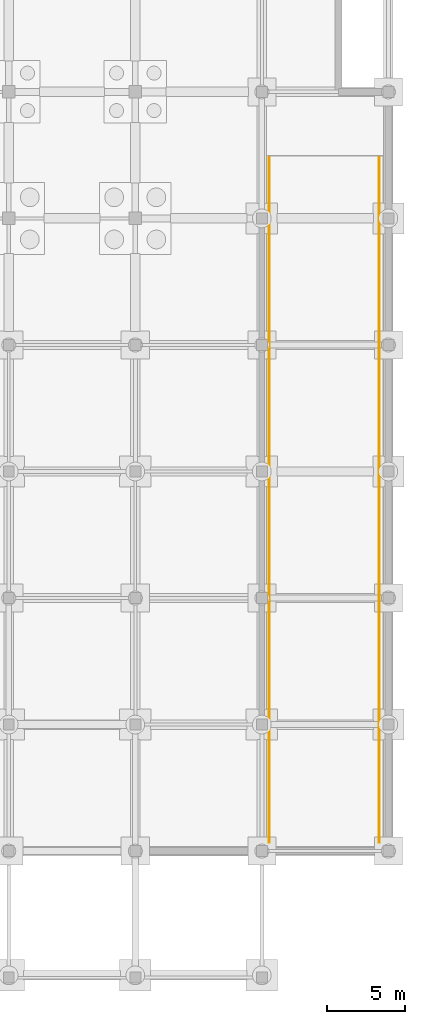
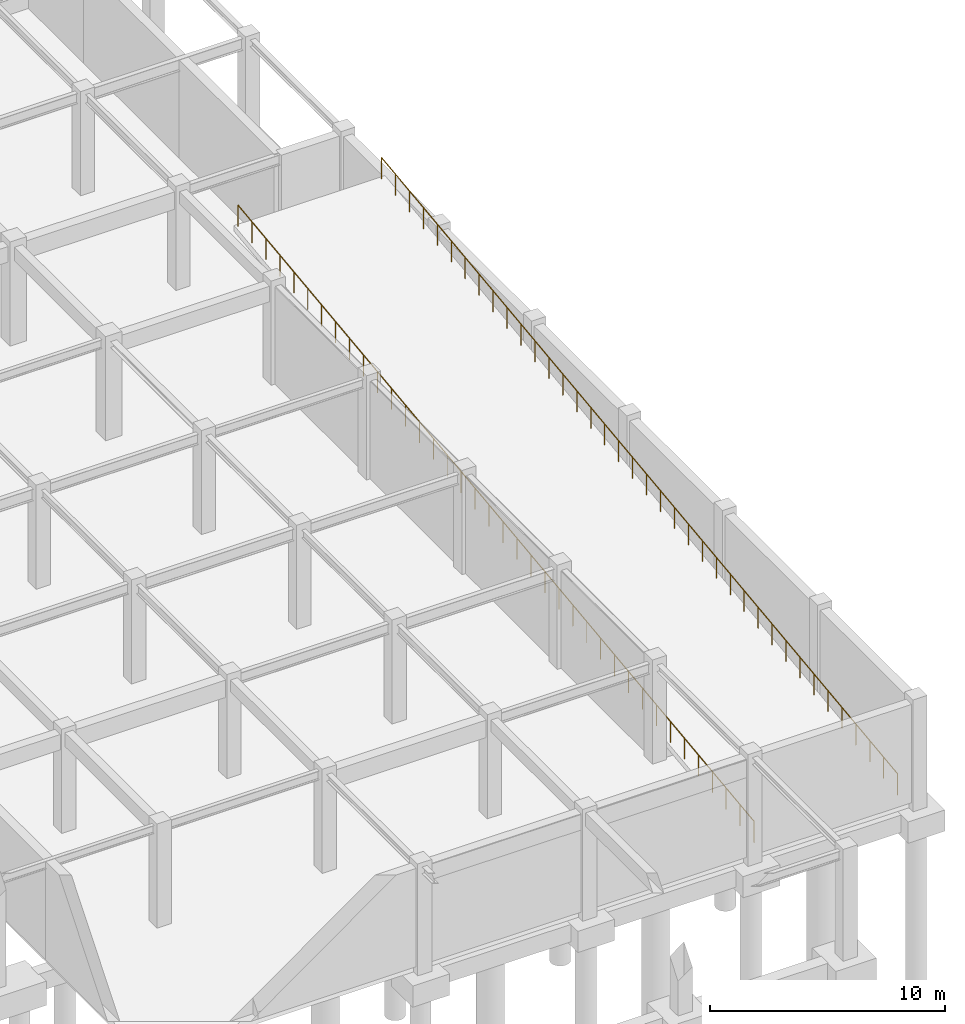
# One storey, part 24 of 26: 2 railings.
"""IFC4 building model written with IfcOpenShell, lengths in metres."""

from ifc_helpers import new_model, si_unit, direction, frame, origin, origin_2d, place, context, subcontext, project, spatial, circle, extrude, material, type_object, element, save


model = new_model("IFC4")

# Units and contexts
model_context = context("Model", 3, precision=1e-05, world=origin(), true_north=direction((0.0, 1.0)))
body_context = subcontext(model_context, "Body", "Model", "MODEL_VIEW")
ifc_project = project(units=[si_unit("LENGTHUNIT", "METRE"), si_unit("AREAUNIT", "SQUARE_METRE"), si_unit("VOLUMEUNIT", "CUBIC_METRE"), si_unit("PLANEANGLEUNIT", "RADIAN"), si_unit("MASSUNIT", "GRAM", prefix="KILO")], contexts=[model_context])

# Site, building, storey
site_placement = place(None, origin())
site = spatial("IfcSite", under=ifc_project, at=site_placement, CompositionType="ELEMENT")
building_placement = place(site_placement, origin())
building = spatial("IfcBuilding", under=site, at=building_placement, Name="Parian Resonance Hall", CompositionType="ELEMENT")
storey_placement = place(building_placement, frame((0.0, 0.0, -5.39990234375)))
storey = spatial("IfcBuildingStorey", under=building, at=storey_placement, Name="B1", CompositionType="ELEMENT", Elevation=-5.39990234375)

# Railings
ifc_material = material(Name="Patinated bronze persiana louver")
railing_type = type_object("IfcRailingType", Name="RAIL-GRD-1120", PredefinedType="GUARDRAIL", material=ifc_material)
railing_1_placement = place(storey_placement, frame((154.3798828125, 8.64990234375, 0.010009765625)))
element("IfcRailing", 1, at=railing_1_placement, inside=storey, type_object=railing_type, Name="Vehicle ramp west safety guardrail", PredefinedType="GUARDRAIL", context=body_context, shape_type="SweptSolid", body=[
    extrude(circle(Radius=0.02392578125, at=origin_2d()), frame((0.0, 0.0, 1.09619140625), z_axis=(0.0, 0.992585096062, 0.121551746495), x_axis=(-1.0, 0.0, 0.0)), (0.0, 0.0, 1.0), 44.177734375),
    extrude(circle(Radius=0.02099609375, at=origin_2d()), origin(), (0.0, 0.0, 1.0), 1.072021484375),
    extrude(circle(Radius=0.02099609375, at=origin_2d()), frame((0.0, 1.18505859375, 0.14501953125)), (0.0, 0.0, 1.0), 1.072021484375),
    extrude(circle(Radius=0.02099609375, at=origin_2d()), frame((0.0, 2.370361328125, 0.290283203125)), (0.0, 0.0, 1.0), 1.072021484375),
    extrude(circle(Radius=0.02099609375, at=origin_2d()), frame((0.0, 3.555419921875, 0.435302734375)), (0.0, 0.0, 1.0), 1.072021484375),
    extrude(circle(Radius=0.02099609375, at=origin_2d()), frame((0.0, 4.740478515625, 0.58056640625)), (0.0, 0.0, 1.0), 1.072021484375),
    extrude(circle(Radius=0.02099609375, at=origin_2d()), frame((0.0, 5.92578125, 0.7255859375)), (0.0, 0.0, 1.0), 1.072021484375),
    extrude(circle(Radius=0.02099609375, at=origin_2d()), frame((0.0, 7.11083984375, 0.870849609375)), (0.0, 0.0, 1.0), 1.072021484375),
    extrude(circle(Radius=0.02099609375, at=origin_2d()), frame((0.0, 8.2958984375, 1.015869140625)), (0.0, 0.0, 1.0), 1.072021484375),
    extrude(circle(Radius=0.02099609375, at=origin_2d()), frame((0.0, 9.481201171875, 1.1611328125)), (0.0, 0.0, 1.0), 1.072021484375),
    extrude(circle(Radius=0.02099609375, at=origin_2d()), frame((0.0, 10.666259765625, 1.30615234375)), (0.0, 0.0, 1.0), 1.072021484375),
    extrude(circle(Radius=0.02099609375, at=origin_2d()), frame((0.0, 11.851318359375, 1.451416015625)), (0.0, 0.0, 1.0), 1.072021484375),
    extrude(circle(Radius=0.02099609375, at=origin_2d()), frame((0.0, 13.03662109375, 1.596435546875)), (0.0, 0.0, 1.0), 1.072021484375),
    extrude(circle(Radius=0.02099609375, at=origin_2d()), frame((0.0, 14.2216796875, 1.74169921875)), (0.0, 0.0, 1.0), 1.072021484375),
    extrude(circle(Radius=0.02099609375, at=origin_2d()), frame((0.0, 15.40673828125, 1.88671875)), (0.0, 0.0, 1.0), 1.072021484375),
    extrude(circle(Radius=0.02099609375, at=origin_2d()), frame((0.0, 16.592041015625, 2.03173828125)), (0.0, 0.0, 1.0), 1.072021484375),
    extrude(circle(Radius=0.02099609375, at=origin_2d()), frame((0.0, 17.777099609375, 2.177001953125)), (0.0, 0.0, 1.0), 1.072021484375),
    extrude(circle(Radius=0.02099609375, at=origin_2d()), frame((0.0, 18.962158203125, 2.322021484375)), (0.0, 0.0, 1.0), 1.072021484375),
    extrude(circle(Radius=0.02099609375, at=origin_2d()), frame((0.0, 20.1474609375, 2.46728515625)), (0.0, 0.0, 1.0), 1.072021484375),
    extrude(circle(Radius=0.02099609375, at=origin_2d()), frame((0.0, 21.33251953125, 2.6123046875)), (0.0, 0.0, 1.0), 1.072021484375),
    extrude(circle(Radius=0.02099609375, at=origin_2d()), frame((0.0, 22.517578125, 2.757568359375)), (0.0, 0.0, 1.0), 1.072021484375),
    extrude(circle(Radius=0.02099609375, at=origin_2d()), frame((0.0, 23.70263671875, 2.902587890625)), (0.0, 0.0, 1.0), 1.072021484375),
    extrude(circle(Radius=0.02099609375, at=origin_2d()), frame((0.0, 24.887939453125, 3.0478515625)), (0.0, 0.0, 1.0), 1.072021484375),
    extrude(circle(Radius=0.02099609375, at=origin_2d()), frame((0.0, 26.072998046875, 3.19287109375)), (0.0, 0.0, 1.0), 1.072021484375),
    extrude(circle(Radius=0.02099609375, at=origin_2d()), frame((0.0, 27.258056640625, 3.338134765625)), (0.0, 0.0, 1.0), 1.072021484375),
    extrude(circle(Radius=0.02099609375, at=origin_2d()), frame((0.0, 28.443359375, 3.483154296875)), (0.0, 0.0, 1.0), 1.072021484375),
    extrude(circle(Radius=0.02099609375, at=origin_2d()), frame((0.0, 29.62841796875, 3.628173828125)), (0.0, 0.0, 1.0), 1.072021484375),
    extrude(circle(Radius=0.02099609375, at=origin_2d()), frame((0.0, 30.8134765625, 3.7734375)), (0.0, 0.0, 1.0), 1.072021484375),
    extrude(circle(Radius=0.02099609375, at=origin_2d()), frame((0.0, 31.998779296875, 3.91845703125)), (0.0, 0.0, 1.0), 1.072021484375),
    extrude(circle(Radius=0.02099609375, at=origin_2d()), frame((0.0, 33.183837890625, 4.063720703125)), (0.0, 0.0, 1.0), 1.072021484375),
    extrude(circle(Radius=0.02099609375, at=origin_2d()), frame((0.0, 34.368896484375, 4.208740234375)), (0.0, 0.0, 1.0), 1.072021484375),
    extrude(circle(Radius=0.02099609375, at=origin_2d()), frame((0.0, 35.55419921875, 4.35400390625)), (0.0, 0.0, 1.0), 1.072021484375),
    extrude(circle(Radius=0.02099609375, at=origin_2d()), frame((0.0, 36.7392578125, 4.4990234375)), (0.0, 0.0, 1.0), 1.072021484375),
    extrude(circle(Radius=0.02099609375, at=origin_2d()), frame((0.0, 37.92431640625, 4.644287109375)), (0.0, 0.0, 1.0), 1.072021484375),
    extrude(circle(Radius=0.02099609375, at=origin_2d()), frame((0.0, 39.109619140625, 4.789306640625)), (0.0, 0.0, 1.0), 1.072021484375),
    extrude(circle(Radius=0.02099609375, at=origin_2d()), frame((0.0, 40.294677734375, 4.9345703125)), (0.0, 0.0, 1.0), 1.072021484375),
    extrude(circle(Radius=0.02099609375, at=origin_2d()), frame((0.0, 41.479736328125, 5.07958984375)), (0.0, 0.0, 1.0), 1.072021484375),
    extrude(circle(Radius=0.02099609375, at=origin_2d()), frame((0.0, 42.6650390625, 5.224853515625)), (0.0, 0.0, 1.0), 1.072021484375),
    extrude(circle(Radius=0.02099609375, at=origin_2d()), frame((0.0, 43.85009765625, 5.369873046875)), (0.0, 0.0, 1.0), 1.072021484375),
])
railing_2_placement = place(storey_placement, frame((161.419921875, 8.64990234375, 0.010009765625)))
element("IfcRailing", 2, at=railing_2_placement, inside=storey, type_object=railing_type, Name="Vehicle ramp east safety guardrail", PredefinedType="GUARDRAIL", context=body_context, shape_type="SweptSolid", body=[
    extrude(circle(Radius=0.02392578125, at=origin_2d()), frame((0.0, 0.0, 1.09619140625), z_axis=(0.0, 0.992585096062, 0.121551746495), x_axis=(-1.0, 0.0, 0.0)), (0.0, 0.0, 1.0), 44.177734375),
    extrude(circle(Radius=0.02099609375, at=origin_2d()), origin(), (0.0, 0.0, 1.0), 1.072021484375),
    extrude(circle(Radius=0.02099609375, at=origin_2d()), frame((0.0, 1.18505859375, 0.14501953125)), (0.0, 0.0, 1.0), 1.072021484375),
    extrude(circle(Radius=0.02099609375, at=origin_2d()), frame((0.0, 2.370361328125, 0.290283203125)), (0.0, 0.0, 1.0), 1.072021484375),
    extrude(circle(Radius=0.02099609375, at=origin_2d()), frame((0.0, 3.555419921875, 0.435302734375)), (0.0, 0.0, 1.0), 1.072021484375),
    extrude(circle(Radius=0.02099609375, at=origin_2d()), frame((0.0, 4.740478515625, 0.58056640625)), (0.0, 0.0, 1.0), 1.072021484375),
    extrude(circle(Radius=0.02099609375, at=origin_2d()), frame((0.0, 5.92578125, 0.7255859375)), (0.0, 0.0, 1.0), 1.072021484375),
    extrude(circle(Radius=0.02099609375, at=origin_2d()), frame((0.0, 7.11083984375, 0.870849609375)), (0.0, 0.0, 1.0), 1.072021484375),
    extrude(circle(Radius=0.02099609375, at=origin_2d()), frame((0.0, 8.2958984375, 1.015869140625)), (0.0, 0.0, 1.0), 1.072021484375),
    extrude(circle(Radius=0.02099609375, at=origin_2d()), frame((0.0, 9.481201171875, 1.1611328125)), (0.0, 0.0, 1.0), 1.072021484375),
    extrude(circle(Radius=0.02099609375, at=origin_2d()), frame((0.0, 10.666259765625, 1.30615234375)), (0.0, 0.0, 1.0), 1.072021484375),
    extrude(circle(Radius=0.02099609375, at=origin_2d()), frame((0.0, 11.851318359375, 1.451416015625)), (0.0, 0.0, 1.0), 1.072021484375),
    extrude(circle(Radius=0.02099609375, at=origin_2d()), frame((0.0, 13.03662109375, 1.596435546875)), (0.0, 0.0, 1.0), 1.072021484375),
    extrude(circle(Radius=0.02099609375, at=origin_2d()), frame((0.0, 14.2216796875, 1.74169921875)), (0.0, 0.0, 1.0), 1.072021484375),
    extrude(circle(Radius=0.02099609375, at=origin_2d()), frame((0.0, 15.40673828125, 1.88671875)), (0.0, 0.0, 1.0), 1.072021484375),
    extrude(circle(Radius=0.02099609375, at=origin_2d()), frame((0.0, 16.592041015625, 2.03173828125)), (0.0, 0.0, 1.0), 1.072021484375),
    extrude(circle(Radius=0.02099609375, at=origin_2d()), frame((0.0, 17.777099609375, 2.177001953125)), (0.0, 0.0, 1.0), 1.072021484375),
    extrude(circle(Radius=0.02099609375, at=origin_2d()), frame((0.0, 18.962158203125, 2.322021484375)), (0.0, 0.0, 1.0), 1.072021484375),
    extrude(circle(Radius=0.02099609375, at=origin_2d()), frame((0.0, 20.1474609375, 2.46728515625)), (0.0, 0.0, 1.0), 1.072021484375),
    extrude(circle(Radius=0.02099609375, at=origin_2d()), frame((0.0, 21.33251953125, 2.6123046875)), (0.0, 0.0, 1.0), 1.072021484375),
    extrude(circle(Radius=0.02099609375, at=origin_2d()), frame((0.0, 22.517578125, 2.757568359375)), (0.0, 0.0, 1.0), 1.072021484375),
    extrude(circle(Radius=0.02099609375, at=origin_2d()), frame((0.0, 23.70263671875, 2.902587890625)), (0.0, 0.0, 1.0), 1.072021484375),
    extrude(circle(Radius=0.02099609375, at=origin_2d()), frame((0.0, 24.887939453125, 3.0478515625)), (0.0, 0.0, 1.0), 1.072021484375),
    extrude(circle(Radius=0.02099609375, at=origin_2d()), frame((0.0, 26.072998046875, 3.19287109375)), (0.0, 0.0, 1.0), 1.072021484375),
    extrude(circle(Radius=0.02099609375, at=origin_2d()), frame((0.0, 27.258056640625, 3.338134765625)), (0.0, 0.0, 1.0), 1.072021484375),
    extrude(circle(Radius=0.02099609375, at=origin_2d()), frame((0.0, 28.443359375, 3.483154296875)), (0.0, 0.0, 1.0), 1.072021484375),
    extrude(circle(Radius=0.02099609375, at=origin_2d()), frame((0.0, 29.62841796875, 3.628173828125)), (0.0, 0.0, 1.0), 1.072021484375),
    extrude(circle(Radius=0.02099609375, at=origin_2d()), frame((0.0, 30.8134765625, 3.7734375)), (0.0, 0.0, 1.0), 1.072021484375),
    extrude(circle(Radius=0.02099609375, at=origin_2d()), frame((0.0, 31.998779296875, 3.91845703125)), (0.0, 0.0, 1.0), 1.072021484375),
    extrude(circle(Radius=0.02099609375, at=origin_2d()), frame((0.0, 33.183837890625, 4.063720703125)), (0.0, 0.0, 1.0), 1.072021484375),
    extrude(circle(Radius=0.02099609375, at=origin_2d()), frame((0.0, 34.368896484375, 4.208740234375)), (0.0, 0.0, 1.0), 1.072021484375),
    extrude(circle(Radius=0.02099609375, at=origin_2d()), frame((0.0, 35.55419921875, 4.35400390625)), (0.0, 0.0, 1.0), 1.072021484375),
    extrude(circle(Radius=0.02099609375, at=origin_2d()), frame((0.0, 36.7392578125, 4.4990234375)), (0.0, 0.0, 1.0), 1.072021484375),
    extrude(circle(Radius=0.02099609375, at=origin_2d()), frame((0.0, 37.92431640625, 4.644287109375)), (0.0, 0.0, 1.0), 1.072021484375),
    extrude(circle(Radius=0.02099609375, at=origin_2d()), frame((0.0, 39.109619140625, 4.789306640625)), (0.0, 0.0, 1.0), 1.072021484375),
    extrude(circle(Radius=0.02099609375, at=origin_2d()), frame((0.0, 40.294677734375, 4.9345703125)), (0.0, 0.0, 1.0), 1.072021484375),
    extrude(circle(Radius=0.02099609375, at=origin_2d()), frame((0.0, 41.479736328125, 5.07958984375)), (0.0, 0.0, 1.0), 1.072021484375),
    extrude(circle(Radius=0.02099609375, at=origin_2d()), frame((0.0, 42.6650390625, 5.224853515625)), (0.0, 0.0, 1.0), 1.072021484375),
    extrude(circle(Radius=0.02099609375, at=origin_2d()), frame((0.0, 43.85009765625, 5.369873046875)), (0.0, 0.0, 1.0), 1.072021484375),
])

save(model, "model.ifc")
